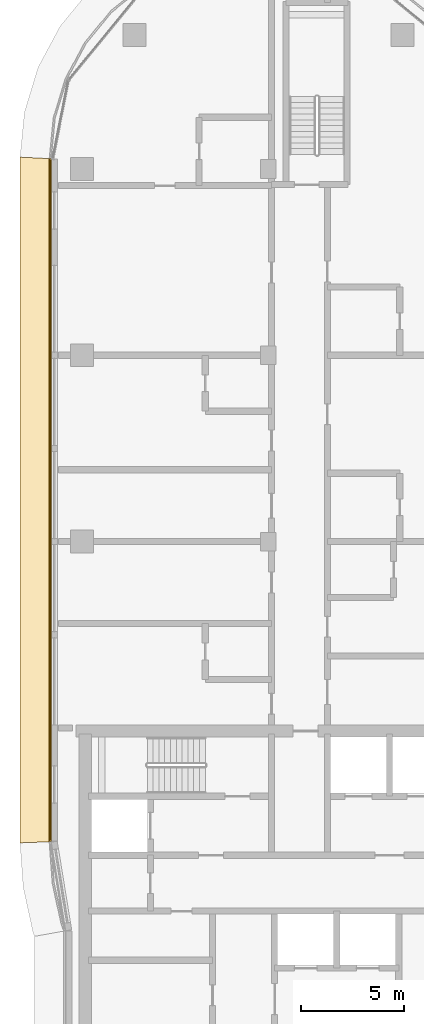
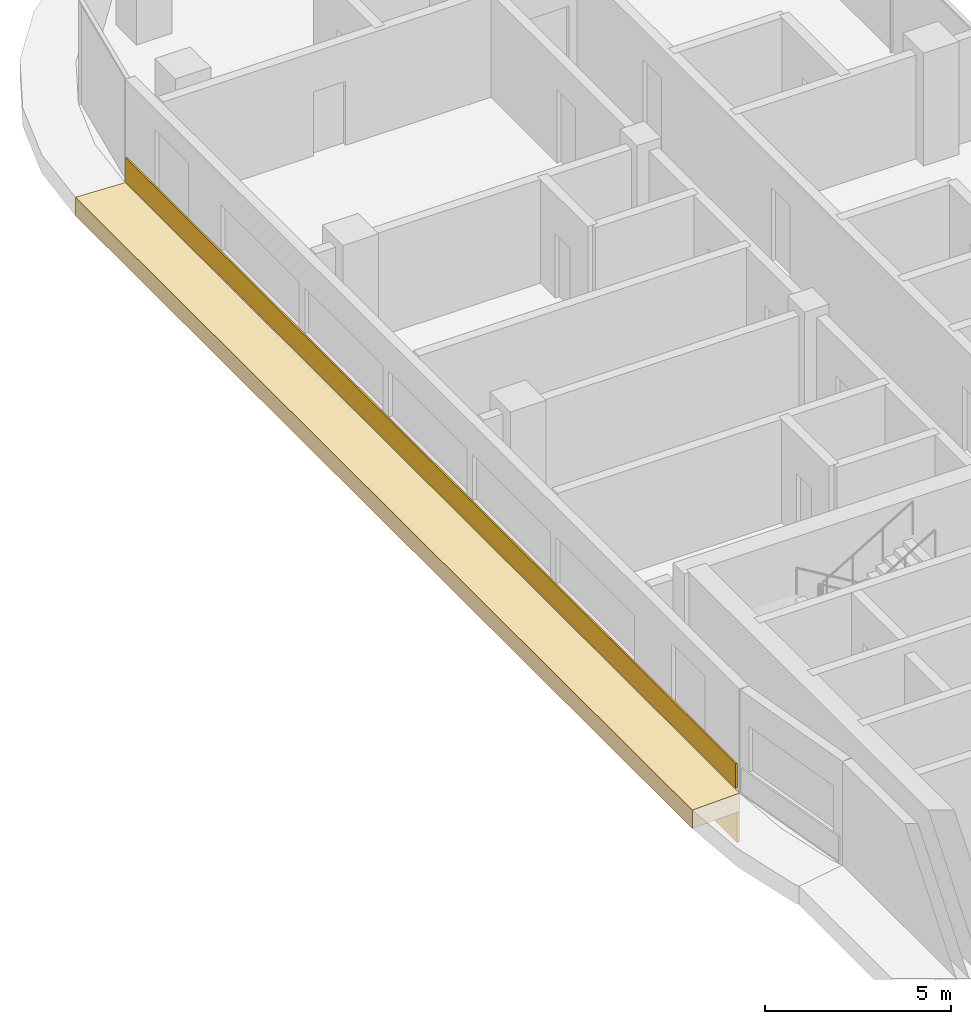
# One storey, part 18 of 24: 3 coverings.
"""IFC4 building model written with IfcOpenShell, lengths in metres."""

from ifc_helpers import new_model, si_unit, direction, frame, origin, origin_2d, place, context, subcontext, project, spatial, polyline, rectangle, outline, extrude, material, layer, layer_set, type_object, element, save


model = new_model("IFC4")

# Units and contexts
model_context = context("Model", 3, precision=1e-05, world=origin(), true_north=direction((0.0, 1.0)))
body_context = subcontext(model_context, "Body", "Model", "MODEL_VIEW")
ifc_project = project(units=[si_unit("LENGTHUNIT", "METRE"), si_unit("AREAUNIT", "SQUARE_METRE"), si_unit("VOLUMEUNIT", "CUBIC_METRE"), si_unit("PLANEANGLEUNIT", "RADIAN"), si_unit("MASSUNIT", "GRAM", prefix="KILO")], contexts=[model_context])

# Site, building, storey
site_placement = place(None, origin())
site = spatial("IfcSite", under=ifc_project, at=site_placement, CompositionType="ELEMENT")
building_placement = place(site_placement, origin())
building = spatial("IfcBuilding", under=site, at=building_placement, Name="Ogive Portal Towers", CompositionType="ELEMENT")
storey_placement = place(building_placement, frame((0.0, 0.0, 142.199951171875)))
storey = spatial("IfcBuildingStorey", under=building, at=storey_placement, Name="L34", CompositionType="ELEMENT", Elevation=142.199951171875)

# Coverings
ifc_material = material(Name="Limestone cladding on lightweight block wall", Category="masonry")
ifc_layer_1 = layer(ifc_material, 0.050048828125)
ifc_layer_set_1 = layer_set([ifc_layer_1], Name="SCREEN PERFORATED STONE")
covering_type_1 = type_object("IfcCoveringType", Name="SCREEN PERFORATED STONE", PredefinedType="CLADDING", material=ifc_layer_set_1)
covering_1_placement = place(storey_placement, frame((29.97509765625, 50.50830078125, 0.10009765625), z_axis=(0.0, 0.0, 1.0), x_axis=(0.0, -1.0, 0.0)))
element("IfcCovering", 1, at=covering_1_placement, inside=storey, type_object=covering_type_1, Name="Tracery screen", PredefinedType="CLADDING", context=body_context, shape_type="SweptSolid", body=[
    extrude(rectangle(XDim=32.767822265625, YDim=0.050048828125, at=origin_2d()), origin(), (0.0, 0.0, 1.0), 0.800048828125),
])
ifc_layer_2 = layer(ifc_material, 0.080078125)
ifc_layer_set_2 = layer_set([ifc_layer_2], Name="STONE SPANDREL 80")
covering_type_2 = type_object("IfcCoveringType", Name="STONE SPANDREL 80", PredefinedType="CLADDING", material=ifc_layer_set_2)
covering_2_placement = place(storey_placement, frame((0.0, 0.0, -1.599853515625)))
element("IfcCovering", 2, at=covering_2_placement, inside=storey, type_object=covering_type_2, Name="Stone spandrel A1-F13", PredefinedType="CLADDING", context=body_context, shape_type="SweptSolid", body=[
    extrude(outline(polyline([(30.0, 67.0), (30.0, 34.0), (29.919921875, 33.9970703125), (29.919921875, 67.00390625), (30.0, 67.0)])), origin(), (0.0, 0.0, 1.0), 1.0),
])
ifc_layer_3 = layer(ifc_material, 0.60009765625)
ifc_layer_set_3 = layer_set([ifc_layer_3], Name="SUNSHADE LIP 600")
covering_type_3 = type_object("IfcCoveringType", Name="SUNSHADE LIP 600", PredefinedType="CLADDING", material=ifc_layer_set_3)
covering_3_placement = place(storey_placement, frame((0.0, 0.0, -0.599853515625)))
element("IfcCovering", 3, at=covering_3_placement, inside=storey, type_object=covering_type_3, Name="Sunshade lip A1-F13", PredefinedType="CLADDING", context=body_context, shape_type="SweptSolid", body=[
    extrude(outline(polyline([(30.0, 67.0), (30.0, 34.0), (28.5, 33.946533203125), (28.5, 67.07373046875), (30.0, 67.0)])), origin(), (0.0, 0.0, 1.0), 0.599853515625),
])

save(model, "model.ifc")
